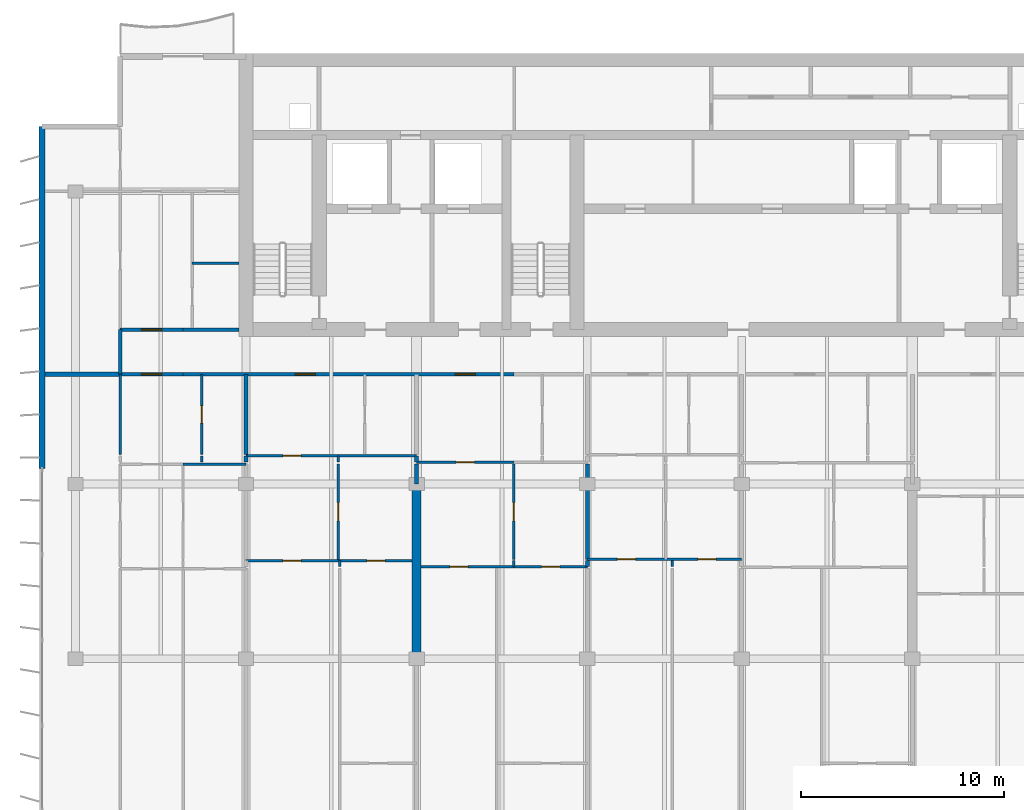
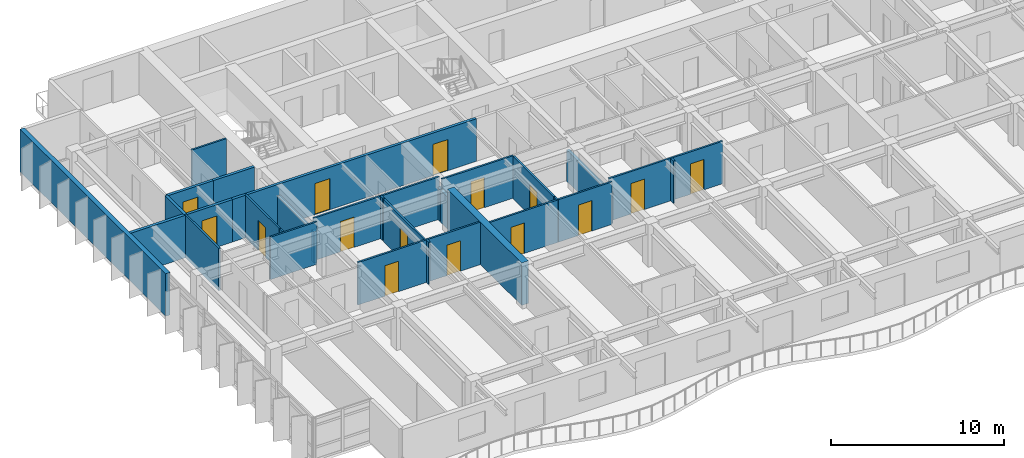
# One storey, part 7 of 16: 31 walls, 15 doors, 15 openings.
"""IFC4 building model written with IfcOpenShell, lengths in metres."""

import ifcopenshell
import ifcopenshell.guid

model = None  # the IFC model being written
_history = None  # IfcOwnerHistory: only IFC2X3 demands one
_inside = {}  # id of a spatial element -> (the spatial element, [elements in it])
_under = {}  # id of a project, library or spatial element -> (it, [spatial elements below it])
_declared = {}  # id of a project -> (the project, [libraries it declares])
_typed = {}  # id of a type object -> (the type object, [elements of that type])
_made_of = {}  # id of a material, layer set ... -> (it, [elements and type objects made of it])


def new_model(schema):
    """Start an empty IFC model of exactly this schema.

    Asked for "IFC4X3", IfcOpenShell would pick the latest addendum, in which some entities
    have other attributes; the version numbers below select the first issue.
    IFC2X3 requires an IfcOwnerHistory on every rooted entity: one is made here for all.
    """
    global model, _history
    if schema == "IFC4X3":
        model = ifcopenshell.file(schema_version=(4, 3, 0, 0))
    else:
        model = ifcopenshell.file(schema=schema)
    _inside.clear()
    _under.clear()
    _declared.clear()
    _typed.clear()
    _made_of.clear()
    _history = None
    if model.schema == "IFC2X3":
        org = make("IfcOrganization", Name="unknown")
        user = make(
            "IfcPersonAndOrganization",
            ThePerson=make("IfcPerson", FamilyName="unknown"),
            TheOrganization=org,
        )
        app = make(
            "IfcApplication",
            ApplicationDeveloper=org,
            Version="unknown",
            ApplicationFullName="unknown",
            ApplicationIdentifier="unknown",
        )
        _history = make(
            "IfcOwnerHistory",
            OwningUser=user,
            OwningApplication=app,
            ChangeAction="ADDED",
            CreationDate=0,
        )
    return model


def make(cls, **values):
    """One entity of the class cls with the attributes given. An attribute that is None is left unset."""
    return model.create_entity(
        cls, **{name: value for name, value in values.items() if value is not None}
    )


def rooted(cls, **values):
    """An entity with a GlobalId (a new one), such as an element, a storey or a relation."""
    return make(cls, GlobalId=ifcopenshell.guid.new(), OwnerHistory=_history, **values)


def si_unit(unit_type, name, prefix=None):
    """IfcSIUnit, for example si_unit("LENGTHUNIT", "METRE", prefix="MILLI")."""
    return make("IfcSIUnit", UnitType=unit_type, Prefix=prefix, Name=name)


def assignment(units):
    """IfcUnitAssignment: the units of a project."""
    return None if units is None else make("IfcUnitAssignment", Units=units)


def point(xyz):
    """IfcCartesianPoint."""
    return None if xyz is None else make("IfcCartesianPoint", Coordinates=xyz)


def direction(xyz):
    """IfcDirection."""
    return None if xyz is None else make("IfcDirection", DirectionRatios=xyz)


def frame(location, z_axis=None, x_axis=None):
    """IfcAxis2Placement3D, a coordinate frame: its origin and axes. An axis left out is left unset."""
    return make(
        "IfcAxis2Placement3D",
        Location=point(location),
        Axis=direction(z_axis),
        RefDirection=direction(x_axis),
    )


def frame_2d(location, x_axis=None):
    """IfcAxis2Placement2D, a coordinate frame in the plane: its origin and x axis."""
    return make(
        "IfcAxis2Placement2D", Location=point(location), RefDirection=direction(x_axis)
    )


def origin():
    """The frame at (0, 0, 0) with its axes left unset."""
    return frame((0.0, 0.0, 0.0))


def place(relative_to, where):
    """IfcLocalPlacement: puts the frame where relative to a parent placement (None: the world)."""
    return make(
        "IfcLocalPlacement", PlacementRelTo=relative_to, RelativePlacement=where
    )


def context(
    kind, dimensions, precision=None, world=None, true_north=None, identifier=None
):
    """IfcGeometricRepresentationContext, for example the 3D "Model" context."""
    return make(
        "IfcGeometricRepresentationContext",
        ContextIdentifier=identifier,
        ContextType=kind,
        CoordinateSpaceDimension=dimensions,
        Precision=precision,
        WorldCoordinateSystem=world,
        TrueNorth=true_north,
    )


def subcontext(parent, identifier, kind, view, scale=None):
    """IfcGeometricRepresentationSubContext, for example "Body" below "Model"."""
    return make(
        "IfcGeometricRepresentationSubContext",
        ContextIdentifier=identifier,
        ContextType=kind,
        ParentContext=parent,
        TargetScale=scale,
        TargetView=view,
    )


def project(units=None, contexts=None):
    """IfcProject with its units and contexts."""
    return rooted(
        "IfcProject",
        Name="project",
        RepresentationContexts=contexts,
        UnitsInContext=assignment(units),
    )


def spatial(cls, under=None, at=None, **own):
    """A site, building, storey or space (cls), placed at a placement, below another one or the project."""
    s = rooted(cls, ObjectPlacement=at, **own)
    if under is not None:
        _under.setdefault(under.id(), (under, []))[1].append(s)
    return s


def profile(cls, at=None, kind="AREA", **sizes):
    """A parametric profile (cls). Its sizes go by their IFC names, for example OverallWidth=200.0."""
    return make(cls, ProfileType=kind, Position=at, **sizes)


def rectangle(**sizes):
    """IfcRectangleProfileDef."""
    return profile("IfcRectangleProfileDef", **sizes)


def extrude(swept, where, along, depth):
    """IfcExtrudedAreaSolid: the profile swept, set in the frame where, extruded along a direction by depth."""
    return make(
        "IfcExtrudedAreaSolid",
        SweptArea=swept,
        Position=where,
        ExtrudedDirection=direction(along),
        Depth=depth,
    )


def shape(context_of_items, identifier, shape_type, items):
    """IfcShapeRepresentation: the items that make up one representation, for example the "Body"."""
    return make(
        "IfcShapeRepresentation",
        ContextOfItems=context_of_items,
        RepresentationIdentifier=identifier,
        RepresentationType=shape_type,
        Items=items,
    )


def material(Name=None, Category=None):
    """IfcMaterial."""
    return make("IfcMaterial", Name=Name, Category=Category)


def layer(
    of_material, thickness, ventilated=None, Name=None, Category=None, Priority=None
):
    """IfcMaterialLayer: one layer of a wall or slab, of a material (None: an air gap)."""
    return make(
        "IfcMaterialLayer",
        Material=of_material,
        LayerThickness=thickness,
        IsVentilated=ventilated,
        Name=Name,
        Category=Category,
        Priority=Priority,
    )


def layer_set(layers, Name=None):
    """IfcMaterialLayerSet."""
    return make("IfcMaterialLayerSet", MaterialLayers=layers, LayerSetName=Name)


def made_of(thing, what):
    """Note that an element or type object is made of a material, layer set ...; save() writes the relation."""
    if what is not None:
        _made_of.setdefault(what.id(), (what, []))[1].append(thing)
    return thing


def type_object(cls, material=None, **own):
    """A type object (cls), such as IfcWallType, which elements share."""
    return made_of(rooted(cls, **own), material)


def element(
    cls,
    number,
    at=None,
    inside=None,
    cuts=None,
    type_object=None,
    material=None,
    context=None,
    identifier="Body",
    shape_type=None,
    held_by="IfcProductDefinitionShape",
    body=None,
    shapes=None,
    **own,
):
    """One element of the class cls, such as IfcWall. Its Tag is "e" and its number.

    at: its placement. inside: the storey or other place that contains it. cuts: it is an
    opening in that element (IfcRelVoidsElement). A single representation is given by context,
    identifier, shape_type and body (its items); several are given by shapes. held_by: the class
    of the entity that holds the representations. save() writes the other relations.
    """
    e = rooted(cls, Tag="e%d" % number, ObjectPlacement=at, **own)
    if body is not None:
        shapes = [shape(context, identifier, shape_type, body)]
    if shapes is not None:
        e.Representation = make(held_by, Representations=shapes)
    if inside is not None:
        _inside.setdefault(inside.id(), (inside, []))[1].append(e)
    if cuts is not None:
        rooted(
            "IfcRelVoidsElement", RelatingBuildingElement=cuts, RelatedOpeningElement=e
        )
    if type_object is not None:
        _typed.setdefault(type_object.id(), (type_object, []))[1].append(e)
    return made_of(e, material)


def fill(opening, filler):
    """IfcRelFillsElement: the door or window that sits in an opening."""
    return rooted(
        "IfcRelFillsElement",
        RelatingOpeningElement=opening,
        RelatedBuildingElement=filler,
    )


def aggregate(whole, parts):
    """IfcRelAggregates: a whole, such as a stair, and the parts it consists of."""
    return rooted("IfcRelAggregates", RelatingObject=whole, RelatedObjects=parts)


def save(model, path):
    """Write the relations noted so far, then the file.

    IfcRelAggregates (storeys below a building ...), IfcRelContainedInSpatialStructure (elements
    in a storey), IfcRelDefinesByType, IfcRelAssociatesMaterial and IfcRelDeclares: one each for
    every whole, place, type object, material and project.
    """
    for whole, parts in _under.values():
        aggregate(whole, parts)
    for where, things in _inside.values():
        rooted(
            "IfcRelContainedInSpatialStructure",
            RelatedElements=things,
            RelatingStructure=where,
        )
    for kind, things in _typed.values():
        rooted("IfcRelDefinesByType", RelatedObjects=things, RelatingType=kind)
    for what, things in _made_of.values():
        rooted("IfcRelAssociatesMaterial", RelatedObjects=things, RelatingMaterial=what)
    for by, libraries in _declared.values():
        rooted("IfcRelDeclares", RelatingContext=by, RelatedDefinitions=libraries)
    model.write(path)


model = new_model("IFC4")

# Units and contexts
model_context = context("Model", 3, precision=1e-05, world=origin(), true_north=direction((0.0, 1.0)))
body_context = subcontext(model_context, "Body", "Model", "MODEL_VIEW")
ifc_project = project(units=[si_unit("LENGTHUNIT", "METRE"), si_unit("AREAUNIT", "SQUARE_METRE"), si_unit("VOLUMEUNIT", "CUBIC_METRE"), si_unit("PLANEANGLEUNIT", "RADIAN"), si_unit("MASSUNIT", "GRAM", prefix="KILO")], contexts=[model_context])

# Site, building, storey
site_placement = place(None, origin())
site = spatial("IfcSite", under=ifc_project, at=site_placement, CompositionType="ELEMENT")
building_placement = place(site_placement, origin())
building = spatial("IfcBuilding", under=site, at=building_placement, Name="Caelmar Bay Residences", CompositionType="ELEMENT")
storey_placement = place(building_placement, frame((0.0, 0.0, 266.10009765625)))
storey = spatial("IfcBuildingStorey", under=building, at=storey_placement, Name="L75", CompositionType="ELEMENT", Elevation=266.10009765625)

# Walls
ifc_material_1 = material(Name="Concrete f'c 55 MPa (8,000 psi)", Category="concrete")
ifc_layer_1 = layer(ifc_material_1, 0.449951171875)
ifc_layer_set_1 = layer_set([ifc_layer_1], Name="Concrete f'c 55 MPa (8,000 psi)")
wall_type_1 = type_object("IfcWallType", Name="SW-XSLB-450", PredefinedType="SHEAR", material=ifc_layer_set_1)
wall_1_placement = place(storey_placement, frame((26.699951171875, 20.800048828125, 0.0), z_axis=(0.0, 0.0, 1.0), x_axis=(0.0, 1.0, 0.0)))
element("IfcWall", 1, at=wall_1_placement, inside=storey, type_object=wall_type_1, Name="L75 Transverse Cross-Slab Shear Wall W5", PredefinedType="SHEAR", context=body_context, shape_type="SweptSolid", body=[
    extrude(rectangle(XDim=8.599853515625, YDim=0.449951171875, at=frame_2d((4.2998046875, 0.0))), origin(), (0.0, 0.0, 1.0), 3.0),
])
ifc_material_2 = material(Name="Double-stud acoustic fire-rated gypsum partition 180 mm")
ifc_layer_2 = layer(ifc_material_2, 0.179931640625)
ifc_layer_set_2 = layer_set([ifc_layer_2], Name="Double-stud acoustic fire-rated gypsum partition 180 mm")
wall_type_2 = type_object("IfcWallType", Name="W-COR-200", PredefinedType="PARTITIONING", material=ifc_layer_set_2)
wall_2_placement = place(storey_placement, frame((12.10009765625, 34.804931640625, 0.0), z_axis=(0.0, 0.0, 1.0), x_axis=(0.0, 1.0, 0.0)))
element("IfcWall", 2, at=wall_2_placement, inside=storey, type_object=wall_type_2, Name="L75 Partition Wall V006", PredefinedType="PARTITIONING", context=body_context, shape_type="SweptSolid", body=[
    extrude(rectangle(XDim=2.195068359375, YDim=0.179931640625, at=frame_2d((1.09765625, 0.0))), origin(), (0.0, 0.0, 1.0), 3.0),
])

# Wall, opening, door
wall_3_placement = place(storey_placement, frame((12.10498046875, 34.800048828125, 0.0), z_axis=(0.0, 0.0, 1.0), x_axis=(1.0, 0.0, 0.0)))
wall_3 = element("IfcWall", 3, at=wall_3_placement, inside=storey, type_object=wall_type_2, Name="L75 Partition Wall H128", PredefinedType="PARTITIONING", context=body_context, shape_type="SweptSolid", body=[
    extrude(rectangle(XDim=3.093017578125, YDim=0.179931640625, at=frame_2d((1.54638671875, 0.0))), origin(), (0.0, 0.0, 1.0), 3.0),
])
opening_1_placement = place(wall_3_placement, frame((1.04638671875, 0.0, 0.0)))
opening_1 = element("IfcOpeningElement", 4, at=opening_1_placement, cuts=wall_3, Name="Opening D-L75-122", PredefinedType="OPENING", context=body_context, shape_type="SweptSolid", body=[
    extrude(rectangle(XDim=1.0, YDim=2.199951171875, at=frame_2d((0.5, 1.10009765625))), frame((0.0, 0.099853515625, 0.0), z_axis=(0.0, -1.0, 0.0), x_axis=(1.0, 0.0, 0.0)), (0.0, 0.0, 1.0), 0.199951171875),
])
ifc_material_3 = material(Name="Fire-rated steel and walnut architectural door assembly", Category="steel")
ifc_layer_3 = layer(ifc_material_3, 0.050048828125)
ifc_layer_set_3 = layer_set([ifc_layer_3], Name="Fire-rated steel and walnut architectural door assembly")
door_type_1 = type_object("IfcDoorType", Name="D-UNIT-1000", OperationType="NOTDEFINED", PredefinedType="DOOR", material=ifc_layer_set_3)
door_1_placement = place(opening_1_placement, origin())
door_1 = element("IfcDoor", 5, at=door_1_placement, inside=storey, type_object=door_type_1, Name="L75 Residence 01 Apartment Hall Door", OperationType="SINGLE_SWING_RIGHT", OverallHeight=2.199951171875, OverallWidth=1.0, PredefinedType="DOOR", context=body_context, shape_type="SweptSolid", body=[
    extrude(rectangle(XDim=1.0, YDim=2.199951171875, at=frame_2d((0.5, 1.10009765625))), frame((0.0, 0.02490234375, 0.0), z_axis=(0.0, -1.0, 0.0), x_axis=(1.0, 0.0, 0.0)), (0.0, 0.0, 1.0), 0.050048828125),
])
fill(opening_1, door_1)

# Wall, openings, doors
wall_4_placement = place(storey_placement, frame((15.202880859375, 34.800048828125, 0.0), z_axis=(0.0, 0.0, 1.0), x_axis=(1.0, 0.0, 0.0)))
wall_4 = element("IfcWall", 6, at=wall_4_placement, inside=storey, type_object=wall_type_2, Name="L75 Partition Wall H129", PredefinedType="PARTITIONING", context=body_context, shape_type="SweptSolid", body=[
    extrude(rectangle(XDim=16.283203125, YDim=0.179931640625, at=frame_2d((8.1416015625, 0.0))), origin(), (0.0, 0.0, 1.0), 3.0),
])
opening_2_placement = place(wall_4_placement, frame((5.51611328125, 0.0, 0.0)))
opening_2 = element("IfcOpeningElement", 7, at=opening_2_placement, cuts=wall_4, Name="Opening D-L75-128", PredefinedType="OPENING", context=body_context, shape_type="SweptSolid", body=[
    extrude(rectangle(XDim=1.0, YDim=2.199951171875, at=frame_2d((0.5, 1.10009765625))), frame((0.0, 0.099853515625, 0.0), z_axis=(0.0, -1.0, 0.0), x_axis=(1.0, 0.0, 0.0)), (0.0, 0.0, 1.0), 0.199951171875),
])
opening_3_placement = place(wall_4_placement, frame((13.389892578125, 0.0, 0.0)))
opening_3 = element("IfcOpeningElement", 8, at=opening_3_placement, cuts=wall_4, Name="Opening D-L75-135", PredefinedType="OPENING", context=body_context, shape_type="SweptSolid", body=[
    extrude(rectangle(XDim=1.0, YDim=2.199951171875, at=frame_2d((0.5, 1.10009765625))), frame((0.0, 0.099853515625, 0.0), z_axis=(0.0, -1.0, 0.0), x_axis=(1.0, 0.0, 0.0)), (0.0, 0.0, 1.0), 0.199951171875),
])
door_2_placement = place(opening_2_placement, origin())
door_2 = element("IfcDoor", 9, at=door_2_placement, inside=storey, type_object=door_type_1, Name="L75 Residence 02 Apartment Hall Door", OperationType="SINGLE_SWING_RIGHT", OverallHeight=2.199951171875, OverallWidth=1.0, PredefinedType="DOOR", context=body_context, shape_type="SweptSolid", body=[
    extrude(rectangle(XDim=1.0, YDim=2.199951171875, at=frame_2d((0.5, 1.10009765625))), frame((0.0, 0.02490234375, 0.0), z_axis=(0.0, -1.0, 0.0), x_axis=(1.0, 0.0, 0.0)), (0.0, 0.0, 1.0), 0.050048828125),
])
fill(opening_2, door_2)
door_3_placement = place(opening_3_placement, origin())
door_3 = element("IfcDoor", 10, at=door_3_placement, inside=storey, type_object=door_type_1, Name="L75 Residence 03 Apartment Hall Door", OperationType="SINGLE_SWING_LEFT", OverallHeight=2.199951171875, OverallWidth=1.0, PredefinedType="DOOR", context=body_context, shape_type="SweptSolid", body=[
    extrude(rectangle(XDim=1.0, YDim=2.199951171875, at=frame_2d((0.5, 1.10009765625))), frame((0.0, 0.02490234375, 0.0), z_axis=(0.0, -1.0, 0.0), x_axis=(1.0, 0.0, 0.0)), (0.0, 0.0, 1.0), 0.050048828125),
])
fill(opening_3, door_3)

# Wall, opening, door
wall_5_placement = place(storey_placement, frame((12.10009765625, 37.0, 0.0), z_axis=(0.0, 0.0, 1.0), x_axis=(1.0, 0.0, 0.0)))
wall_5 = element("IfcWall", 11, at=wall_5_placement, inside=storey, type_object=wall_type_2, Name="L75 Partition Wall H132", PredefinedType="PARTITIONING", context=body_context, shape_type="SweptSolid", body=[
    extrude(rectangle(XDim=3.097900390625, YDim=0.179931640625, at=frame_2d((1.548828125, 0.0))), origin(), (0.0, 0.0, 1.0), 3.0),
])
opening_4_placement = place(wall_5_placement, frame((1.049072265625, 0.0, 0.0)))
opening_4 = element("IfcOpeningElement", 12, at=opening_4_placement, cuts=wall_5, Name="Opening D-L75-167", PredefinedType="OPENING", context=body_context, shape_type="SweptSolid", body=[
    extrude(rectangle(XDim=1.0, YDim=2.199951171875, at=frame_2d((0.5, 1.10009765625))), frame((0.0, 0.099853515625, 0.0), z_axis=(0.0, -1.0, 0.0), x_axis=(1.0, 0.0, 0.0)), (0.0, 0.0, 1.0), 0.199951171875),
])
door_4_placement = place(opening_4_placement, origin())
door_4 = element("IfcDoor", 13, at=door_4_placement, inside=storey, type_object=door_type_1, Name="L75 Residence WA Kitchen Door", OperationType="SINGLE_SWING_LEFT", OverallHeight=2.199951171875, OverallWidth=1.0, PredefinedType="DOOR", context=body_context, shape_type="SweptSolid", body=[
    extrude(rectangle(XDim=1.0, YDim=2.199951171875, at=frame_2d((0.5, 1.10009765625))), frame((0.0, 0.02490234375, 0.0), z_axis=(0.0, -1.0, 0.0), x_axis=(1.0, 0.0, 0.0)), (0.0, 0.0, 1.0), 0.050048828125),
])
fill(opening_4, door_4)

# Walls
wall_6_placement = place(storey_placement, frame((15.202880859375, 37.0, 0.0), z_axis=(0.0, 0.0, 1.0), x_axis=(1.0, 0.0, 0.0)))
element("IfcWall", 14, at=wall_6_placement, inside=storey, type_object=wall_type_2, Name="L75 Partition Wall H133", PredefinedType="PARTITIONING", context=body_context, shape_type="SweptSolid", body=[
    extrude(rectangle(XDim=2.7421875, YDim=0.179931640625, at=frame_2d((1.37109375, 0.0))), origin(), (0.0, 0.0, 1.0), 3.0),
])
ifc_material_4 = material(Name="Precast concrete f'c 40 MPa (6,000 psi)", Category="concrete")
ifc_layer_4 = layer(ifc_material_4, 0.300048828125)
ifc_layer_set_4 = layer_set([ifc_layer_4], Name="Precast concrete f'c 40 MPa (6,000 psi)")
wall_type_3 = type_object("IfcWallType", Name="W-EXT-300", PredefinedType="STANDARD", material=ifc_layer_set_4)
wall_7_placement = place(storey_placement, frame((8.25, 30.14990234375, 0.0), z_axis=(0.0, 0.0, 1.0), x_axis=(0.0, 1.0, 0.0)))
element("IfcWall", 15, at=wall_7_placement, inside=storey, type_object=wall_type_3, Name="L75 West Rear Exterior Wall", PredefinedType="STANDARD", context=body_context, shape_type="SweptSolid", body=[
    extrude(rectangle(XDim=16.85009765625, YDim=0.300048828125, at=frame_2d((8.425048828125, 0.0))), origin(), (0.0, 0.0, 1.0), 3.0),
])
ifc_material_5 = material(Name="Acoustic metal-stud gypsum partition 120 mm")
ifc_layer_5 = layer(ifc_material_5, 0.1201171875)
ifc_layer_set_5 = layer_set([ifc_layer_5], Name="Acoustic metal-stud gypsum partition 120 mm")
wall_type_4 = type_object("IfcWallType", Name="W-PRT-120", PredefinedType="PARTITIONING", material=ifc_layer_set_5)
wall_8_placement = place(storey_placement, frame((12.10009765625, 30.840087890625, 0.0), z_axis=(0.0, 0.0, 1.0), x_axis=(0.0, 1.0, 0.0)))
element("IfcWall", 16, at=wall_8_placement, inside=storey, type_object=wall_type_4, Name="L75 Partition Wall V005", PredefinedType="PARTITIONING", context=body_context, shape_type="SweptSolid", body=[
    extrude(rectangle(XDim=3.9599609375, YDim=0.1201171875, at=frame_2d((1.97998046875, 0.0))), origin(), (0.0, 0.0, 1.0), 3.0),
])
wall_9_placement = place(storey_placement, frame((16.1279296875, 30.47998046875, 0.0), z_axis=(0.0, 0.0, 1.0), x_axis=(0.0, 1.0, 0.0)))
element("IfcWall", 17, at=wall_9_placement, inside=storey, type_object=wall_type_4, Name="L75 Partition Wall V013", PredefinedType="PARTITIONING", context=body_context, shape_type="SweptSolid", body=[
    extrude(rectangle(XDim=0.300048828125, YDim=0.1201171875, at=frame_2d((0.14990234375, 0.0))), origin(), (0.0, 0.0, 1.0), 3.0),
])

# Wall, opening, door
wall_10_placement = place(storey_placement, frame((16.1279296875, 30.840087890625, 0.0), z_axis=(0.0, 0.0, 1.0), x_axis=(0.0, 1.0, 0.0)))
wall_10 = element("IfcWall", 18, at=wall_10_placement, inside=storey, type_object=wall_type_4, Name="L75 Partition Wall V014", PredefinedType="PARTITIONING", context=body_context, shape_type="SweptSolid", body=[
    extrude(rectangle(XDim=3.9599609375, YDim=0.1201171875, at=frame_2d((1.97998046875, 0.0))), origin(), (0.0, 0.0, 1.0), 3.0),
])
opening_5_placement = place(wall_10_placement, frame((1.554931640625, 0.0, 0.0)))
opening_5 = element("IfcOpeningElement", 19, at=opening_5_placement, cuts=wall_10, Name="Opening D-L75-123", PredefinedType="OPENING", context=body_context, shape_type="SweptSolid", body=[
    extrude(rectangle(XDim=0.85009765625, YDim=2.10009765625, at=frame_2d((0.425048828125, 1.050048828125))), frame((0.0, 0.070068359375, 0.0), z_axis=(0.0, -1.0, 0.0), x_axis=(1.0, 0.0, 0.0)), (0.0, 0.0, 1.0), 0.14013671875),
])
ifc_material_6 = material(Name="Solid walnut timber interior door leaf and frame", Category="wood")
ifc_layer_6 = layer(ifc_material_6, 0.050048828125)
ifc_layer_set_6 = layer_set([ifc_layer_6], Name="Solid walnut timber interior door leaf and frame")
door_type_2 = type_object("IfcDoorType", Name="D-BATH-850", OperationType="NOTDEFINED", PredefinedType="DOOR", material=ifc_layer_set_6)
door_5_placement = place(opening_5_placement, origin())
door_5 = element("IfcDoor", 20, at=door_5_placement, inside=storey, type_object=door_type_2, Name="L75 Residence 01 Bathroom Door", OperationType="SINGLE_SWING_LEFT", OverallHeight=2.10009765625, OverallWidth=0.85009765625, PredefinedType="DOOR", context=body_context, shape_type="SweptSolid", body=[
    extrude(rectangle(XDim=0.85009765625, YDim=2.10009765625, at=frame_2d((0.425048828125, 1.050048828125))), frame((0.0, 0.02490234375, 0.0), z_axis=(0.0, -1.0, 0.0), x_axis=(1.0, 0.0, 0.0)), (0.0, 0.0, 1.0), 0.050048828125),
])
fill(opening_5, door_5)

wall_11_placement = place(storey_placement, frame((22.8359375, 25.68994140625, 0.0), z_axis=(0.0, 0.0, 1.0), x_axis=(0.0, 1.0, 0.0)))
wall_11 = element("IfcWall", 21, at=wall_11_placement, inside=storey, type_object=wall_type_4, Name="L75 Partition Wall V022", PredefinedType="PARTITIONING", context=body_context, shape_type="SweptSolid", body=[
    extrude(rectangle(XDim=4.68994140625, YDim=0.1201171875, at=frame_2d((2.344970703125, 0.0))), origin(), (0.0, 0.0, 1.0), 3.0),
])
opening_6_placement = place(wall_11_placement, frame((1.89501953125, 0.0, 0.0)))
opening_6 = element("IfcOpeningElement", 22, at=opening_6_placement, cuts=wall_11, Name="Opening D-L75-131", PredefinedType="OPENING", context=body_context, shape_type="SweptSolid", body=[
    extrude(rectangle(XDim=0.89990234375, YDim=2.14990234375, at=frame_2d((0.449951171875, 1.074951171875))), frame((0.0, 0.070068359375, 0.0), z_axis=(0.0, -1.0, 0.0), x_axis=(1.0, 0.0, 0.0)), (0.0, 0.0, 1.0), 0.14013671875),
])
ifc_layer_7 = layer(ifc_material_6, 0.050048828125)
ifc_layer_set_7 = layer_set([ifc_layer_7], Name="Solid walnut timber interior door leaf and frame")
door_type_3 = type_object("IfcDoorType", Name="D-ROOM-900", OperationType="NOTDEFINED", PredefinedType="DOOR", material=ifc_layer_set_7)
door_6_placement = place(opening_6_placement, origin())
door_6 = element("IfcDoor", 23, at=door_6_placement, inside=storey, type_object=door_type_3, Name="L75 Residence 02 Private Reception Salon Door", OperationType="SINGLE_SWING_LEFT", OverallHeight=2.14990234375, OverallWidth=0.89990234375, PredefinedType="DOOR", context=body_context, shape_type="SweptSolid", body=[
    extrude(rectangle(XDim=0.89990234375, YDim=2.14990234375, at=frame_2d((0.449951171875, 1.074951171875))), frame((0.0, 0.02490234375, 0.0), z_axis=(0.0, -1.0, 0.0), x_axis=(1.0, 0.0, 0.0)), (0.0, 0.0, 1.0), 0.050048828125),
])
fill(opening_6, door_6)

# Walls
wall_12_placement = place(storey_placement, frame((22.8359375, 30.47998046875, 0.0), z_axis=(0.0, 0.0, 1.0), x_axis=(0.0, 1.0, 0.0)))
element("IfcWall", 24, at=wall_12_placement, inside=storey, type_object=wall_type_4, Name="L75 Partition Wall V023", PredefinedType="PARTITIONING", context=body_context, shape_type="SweptSolid", body=[
    extrude(rectangle(XDim=0.300048828125, YDim=0.1201171875, at=frame_2d((0.14990234375, 0.0))), origin(), (0.0, 0.0, 1.0), 3.0),
])
for number, where, z_axis, x_axis, name in (
    (25, (22.919921875, 25.330078125, 0.0), (0.0, 0.0, 1.0), (0.0, 1.0, 0.0), "L75 Partition Wall V026"),
    (26, (31.486083984375, 25.330078125, 0.0), (0.0, 0.0, 1.0), (0.0, 1.0, 0.0), "L75 Partition Wall V038"),
):
    element("IfcWall", number, at=place(storey_placement, frame(where, z_axis=z_axis, x_axis=x_axis)), inside=storey, type_object=wall_type_4, Name=name, PredefinedType="PARTITIONING", context=body_context, shape_type="SweptSolid", body=[
        extrude(rectangle(XDim=0.2998046875, YDim=0.1201171875, at=frame_2d((0.14990234375, 0.0))), origin(), (0.0, 0.0, 1.0), 3.0),
    ])

# Wall, opening, door
wall_13_placement = place(storey_placement, frame((31.486083984375, 25.68994140625, 0.0), z_axis=(0.0, 0.0, 1.0), x_axis=(0.0, 1.0, 0.0)))
wall_13 = element("IfcWall", 27, at=wall_13_placement, inside=storey, type_object=wall_type_4, Name="L75 Partition Wall V039", PredefinedType="PARTITIONING", context=body_context, shape_type="SweptSolid", body=[
    extrude(rectangle(XDim=4.68994140625, YDim=0.1201171875, at=frame_2d((2.344970703125, 0.0))), origin(), (0.0, 0.0, 1.0), 3.0),
])
opening_7_placement = place(wall_13_placement, frame((1.89501953125, 0.0, 0.0)))
opening_7 = element("IfcOpeningElement", 28, at=opening_7_placement, cuts=wall_13, Name="Opening D-L75-138", PredefinedType="OPENING", context=body_context, shape_type="SweptSolid", body=[
    extrude(rectangle(XDim=0.89990234375, YDim=2.14990234375, at=frame_2d((0.449951171875, 1.074951171875))), frame((0.0, 0.070068359375, 0.0), z_axis=(0.0, -1.0, 0.0), x_axis=(1.0, 0.0, 0.0)), (0.0, 0.0, 1.0), 0.14013671875),
])
door_7_placement = place(opening_7_placement, origin())
door_7 = element("IfcDoor", 29, at=door_7_placement, inside=storey, type_object=door_type_3, Name="L75 Residence 03 Private Reception Salon Door", OperationType="SINGLE_SWING_RIGHT", OverallHeight=2.14990234375, OverallWidth=0.89990234375, PredefinedType="DOOR", context=body_context, shape_type="SweptSolid", body=[
    extrude(rectangle(XDim=0.89990234375, YDim=2.14990234375, at=frame_2d((0.449951171875, 1.074951171875))), frame((0.0, 0.02490234375, 0.0), z_axis=(0.0, -1.0, 0.0), x_axis=(1.0, 0.0, 0.0)), (0.0, 0.0, 1.0), 0.050048828125),
])
fill(opening_7, door_7)

# Wall
wall_14_placement = place(storey_placement, frame((39.280029296875, 25.330078125, 0.0), z_axis=(0.0, 0.0, 1.0), x_axis=(0.0, 1.0, 0.0)))
element("IfcWall", 30, at=wall_14_placement, inside=storey, type_object=wall_type_4, Name="L75 Partition Wall V053", PredefinedType="PARTITIONING", context=body_context, shape_type="SweptSolid", body=[
    extrude(rectangle(XDim=0.2998046875, YDim=0.1201171875, at=frame_2d((0.14990234375, 0.0))), origin(), (0.0, 0.0, 1.0), 3.0),
])

# Wall, opening, door
wall_15_placement = place(storey_placement, frame((26.919921875, 25.330078125, 0.0), z_axis=(0.0, 0.0, 1.0), x_axis=(1.0, 0.0, 0.0)))
wall_15 = element("IfcWall", 31, at=wall_15_placement, inside=storey, type_object=wall_type_4, Name="L75 Partition Wall H114", PredefinedType="PARTITIONING", context=body_context, shape_type="SweptSolid", body=[
    extrude(rectangle(XDim=4.566162109375, YDim=0.1201171875, at=frame_2d((2.283203125, 0.0))), origin(), (0.0, 0.0, 1.0), 3.0),
])
opening_8_placement = place(wall_15_placement, frame((1.4140625, 0.0, 0.0)))
opening_8 = element("IfcOpeningElement", 32, at=opening_8_placement, cuts=wall_15, Name="Opening D-L75-139", PredefinedType="OPENING", context=body_context, shape_type="SweptSolid", body=[
    extrude(rectangle(XDim=0.89990234375, YDim=2.14990234375, at=frame_2d((0.449951171875, 1.074951171875))), frame((0.0, 0.070068359375, 0.0), z_axis=(0.0, -1.0, 0.0), x_axis=(1.0, 0.0, 0.0)), (0.0, 0.0, 1.0), 0.14013671875),
])
door_8_placement = place(opening_8_placement, origin())
door_8 = element("IfcDoor", 33, at=door_8_placement, inside=storey, type_object=door_type_3, Name="L75 Residence 03 Living Room Door", OperationType="SINGLE_SWING_LEFT", OverallHeight=2.14990234375, OverallWidth=0.89990234375, PredefinedType="DOOR", context=body_context, shape_type="SweptSolid", body=[
    extrude(rectangle(XDim=0.89990234375, YDim=2.14990234375, at=frame_2d((0.449951171875, 1.074951171875))), frame((0.0, 0.02490234375, 0.0), z_axis=(0.0, -1.0, 0.0), x_axis=(1.0, 0.0, 0.0)), (0.0, 0.0, 1.0), 0.050048828125),
])
fill(opening_8, door_8)

wall_16_placement = place(storey_placement, frame((31.5, 25.330078125, 0.0), z_axis=(0.0, 0.0, 1.0), x_axis=(1.0, 0.0, 0.0)))
wall_16 = element("IfcWall", 34, at=wall_16_placement, inside=storey, type_object=wall_type_4, Name="L75 Partition Wall H115", PredefinedType="PARTITIONING", context=body_context, shape_type="SweptSolid", body=[
    extrude(rectangle(XDim=3.60009765625, YDim=0.1201171875, at=frame_2d((1.800048828125, 0.0))), origin(), (0.0, 0.0, 1.0), 3.0),
])
opening_9_placement = place(wall_16_placement, frame((1.35009765625, 0.0, 0.0)))
opening_9 = element("IfcOpeningElement", 35, at=opening_9_placement, cuts=wall_16, Name="Opening D-L75-140", PredefinedType="OPENING", context=body_context, shape_type="SweptSolid", body=[
    extrude(rectangle(XDim=0.89990234375, YDim=2.14990234375, at=frame_2d((0.449951171875, 1.074951171875))), frame((0.0, 0.070068359375, 0.0), z_axis=(0.0, -1.0, 0.0), x_axis=(1.0, 0.0, 0.0)), (0.0, 0.0, 1.0), 0.14013671875),
])
door_9_placement = place(opening_9_placement, origin())
door_9 = element("IfcDoor", 36, at=door_9_placement, inside=storey, type_object=door_type_3, Name="L75 Residence 03 Penthouse Sitting Room Door", OperationType="SINGLE_SWING_RIGHT", OverallHeight=2.14990234375, OverallWidth=0.89990234375, PredefinedType="DOOR", context=body_context, shape_type="SweptSolid", body=[
    extrude(rectangle(XDim=0.89990234375, YDim=2.14990234375, at=frame_2d((0.449951171875, 1.074951171875))), frame((0.0, 0.02490234375, 0.0), z_axis=(0.0, -1.0, 0.0), x_axis=(1.0, 0.0, 0.0)), (0.0, 0.0, 1.0), 0.050048828125),
])
fill(opening_9, door_9)

# Wall, openings, doors
wall_17_placement = place(storey_placement, frame((18.300048828125, 25.6298828125, 0.0), z_axis=(0.0, 0.0, 1.0), x_axis=(1.0, 0.0, 0.0)))
wall_17 = element("IfcWall", 37, at=wall_17_placement, inside=storey, type_object=wall_type_4, Name="L75 Partition Wall H116", PredefinedType="PARTITIONING", context=body_context, shape_type="SweptSolid", body=[
    extrude(rectangle(XDim=8.179931640625, YDim=0.1201171875, at=frame_2d((4.08984375, 0.0))), origin(), (0.0, 0.0, 1.0), 3.0),
])
opening_10_placement = place(wall_17_placement, frame((1.818115234375, 0.0, 0.0)))
opening_10 = element("IfcOpeningElement", 38, at=opening_10_placement, cuts=wall_17, Name="Opening D-L75-132", PredefinedType="OPENING", context=body_context, shape_type="SweptSolid", body=[
    extrude(rectangle(XDim=0.89990234375, YDim=2.14990234375, at=frame_2d((0.449951171875, 1.074951171875))), frame((0.0, 0.070068359375, 0.0), z_axis=(0.0, -1.0, 0.0), x_axis=(1.0, 0.0, 0.0)), (0.0, 0.0, 1.0), 0.14013671875),
])
opening_11_placement = place(wall_17_placement, frame((5.949951171875, 0.0, 0.0)))
opening_11 = element("IfcOpeningElement", 39, at=opening_11_placement, cuts=wall_17, Name="Opening D-L75-133", PredefinedType="OPENING", context=body_context, shape_type="SweptSolid", body=[
    extrude(rectangle(XDim=0.89990234375, YDim=2.14990234375, at=frame_2d((0.449951171875, 1.074951171875))), frame((0.0, 0.070068359375, 0.0), z_axis=(0.0, -1.0, 0.0), x_axis=(1.0, 0.0, 0.0)), (0.0, 0.0, 1.0), 0.14013671875),
])
door_10_placement = place(opening_10_placement, origin())
door_10 = element("IfcDoor", 40, at=door_10_placement, inside=storey, type_object=door_type_3, Name="L75 Residence 02 Living Room Door", OperationType="SINGLE_SWING_RIGHT", OverallHeight=2.14990234375, OverallWidth=0.89990234375, PredefinedType="DOOR", context=body_context, shape_type="SweptSolid", body=[
    extrude(rectangle(XDim=0.89990234375, YDim=2.14990234375, at=frame_2d((0.449951171875, 1.074951171875))), frame((0.0, 0.02490234375, 0.0), z_axis=(0.0, -1.0, 0.0), x_axis=(1.0, 0.0, 0.0)), (0.0, 0.0, 1.0), 0.050048828125),
])
fill(opening_10, door_10)
door_11_placement = place(opening_11_placement, origin())
door_11 = element("IfcDoor", 41, at=door_11_placement, inside=storey, type_object=door_type_3, Name="L75 Residence 02 Penthouse Sitting Room Door", OperationType="SINGLE_SWING_LEFT", OverallHeight=2.14990234375, OverallWidth=0.89990234375, PredefinedType="DOOR", context=body_context, shape_type="SweptSolid", body=[
    extrude(rectangle(XDim=0.89990234375, YDim=2.14990234375, at=frame_2d((0.449951171875, 1.074951171875))), frame((0.0, 0.02490234375, 0.0), z_axis=(0.0, -1.0, 0.0), x_axis=(1.0, 0.0, 0.0)), (0.0, 0.0, 1.0), 0.050048828125),
])
fill(opening_11, door_11)

wall_18_placement = place(storey_placement, frame((35.10009765625, 25.68994140625, 0.0), z_axis=(0.0, 0.0, 1.0), x_axis=(1.0, 0.0, 0.0)))
wall_18 = element("IfcWall", 42, at=wall_18_placement, inside=storey, type_object=wall_type_4, Name="L75 Partition Wall H117", PredefinedType="PARTITIONING", context=body_context, shape_type="SweptSolid", body=[
    extrude(rectangle(XDim=7.599853515625, YDim=0.1201171875, at=frame_2d((3.7998046875, 0.0))), origin(), (0.0, 0.0, 1.0), 3.0),
])
opening_12_placement = place(wall_18_placement, frame((1.47705078125, 0.0, 0.0)))
opening_12 = element("IfcOpeningElement", 43, at=opening_12_placement, cuts=wall_18, Name="Opening D-L75-146", PredefinedType="OPENING", context=body_context, shape_type="SweptSolid", body=[
    extrude(rectangle(XDim=0.89990234375, YDim=2.14990234375, at=frame_2d((0.449951171875, 1.074951171875))), frame((0.0, 0.070068359375, 0.0), z_axis=(0.0, -1.0, 0.0), x_axis=(1.0, 0.0, 0.0)), (0.0, 0.0, 1.0), 0.14013671875),
])
opening_13_placement = place(wall_18_placement, frame((5.43994140625, 0.0, 0.0)))
opening_13 = element("IfcOpeningElement", 44, at=opening_13_placement, cuts=wall_18, Name="Opening D-L75-147", PredefinedType="OPENING", context=body_context, shape_type="SweptSolid", body=[
    extrude(rectangle(XDim=0.89990234375, YDim=2.14990234375, at=frame_2d((0.449951171875, 1.074951171875))), frame((0.0, 0.070068359375, 0.0), z_axis=(0.0, -1.0, 0.0), x_axis=(1.0, 0.0, 0.0)), (0.0, 0.0, 1.0), 0.14013671875),
])
door_12_placement = place(opening_12_placement, origin())
door_12 = element("IfcDoor", 45, at=door_12_placement, inside=storey, type_object=door_type_3, Name="L75 Residence 04 Living Room Door", OperationType="SINGLE_SWING_RIGHT", OverallHeight=2.14990234375, OverallWidth=0.89990234375, PredefinedType="DOOR", context=body_context, shape_type="SweptSolid", body=[
    extrude(rectangle(XDim=0.89990234375, YDim=2.14990234375, at=frame_2d((0.449951171875, 1.074951171875))), frame((0.0, 0.02490234375, 0.0), z_axis=(0.0, -1.0, 0.0), x_axis=(1.0, 0.0, 0.0)), (0.0, 0.0, 1.0), 0.050048828125),
])
fill(opening_12, door_12)
door_13_placement = place(opening_13_placement, origin())
door_13 = element("IfcDoor", 46, at=door_13_placement, inside=storey, type_object=door_type_3, Name="L75 Residence 04 Primary Bedroom Door", OperationType="SINGLE_SWING_LEFT", OverallHeight=2.14990234375, OverallWidth=0.89990234375, PredefinedType="DOOR", context=body_context, shape_type="SweptSolid", body=[
    extrude(rectangle(XDim=0.89990234375, YDim=2.14990234375, at=frame_2d((0.449951171875, 1.074951171875))), frame((0.0, 0.02490234375, 0.0), z_axis=(0.0, -1.0, 0.0), x_axis=(1.0, 0.0, 0.0)), (0.0, 0.0, 1.0), 0.050048828125),
])
fill(opening_13, door_13)

# Wall
wall_19_placement = place(storey_placement, frame((15.202880859375, 30.3798828125, 0.0), z_axis=(0.0, 0.0, 1.0), x_axis=(1.0, 0.0, 0.0)))
element("IfcWall", 47, at=wall_19_placement, inside=storey, type_object=wall_type_4, Name="L75 Partition Wall H121", PredefinedType="PARTITIONING", context=body_context, shape_type="SweptSolid", body=[
    extrude(rectangle(XDim=3.09716796875, YDim=0.1201171875, at=frame_2d((1.548583984375, 0.0))), origin(), (0.0, 0.0, 1.0), 3.0),
])

# Wall, opening, door
wall_20_placement = place(storey_placement, frame((26.699951171875, 30.47998046875, 0.0), z_axis=(0.0, 0.0, 1.0), x_axis=(1.0, 0.0, 0.0)))
wall_20 = element("IfcWall", 48, at=wall_20_placement, inside=storey, type_object=wall_type_4, Name="L75 Partition Wall H123", PredefinedType="PARTITIONING", context=body_context, shape_type="SweptSolid", body=[
    extrude(rectangle(XDim=4.7861328125, YDim=0.1201171875, at=frame_2d((2.39306640625, 0.0))), origin(), (0.0, 0.0, 1.0), 3.0),
])
opening_14_placement = place(wall_20_placement, frame((1.943115234375, 0.0, 0.0)))
opening_14 = element("IfcOpeningElement", 49, at=opening_14_placement, cuts=wall_20, Name="Opening D-L75-137", PredefinedType="OPENING", context=body_context, shape_type="SweptSolid", body=[
    extrude(rectangle(XDim=0.89990234375, YDim=2.14990234375, at=frame_2d((0.449951171875, 1.074951171875))), frame((0.0, 0.070068359375, 0.0), z_axis=(0.0, -1.0, 0.0), x_axis=(1.0, 0.0, 0.0)), (0.0, 0.0, 1.0), 0.14013671875),
])
door_14_placement = place(opening_14_placement, origin())
door_14 = element("IfcDoor", 50, at=door_14_placement, inside=storey, type_object=door_type_3, Name="L75 Residence 03 Kitchen Door", OperationType="SINGLE_SWING_LEFT", OverallHeight=2.14990234375, OverallWidth=0.89990234375, PredefinedType="DOOR", context=body_context, shape_type="SweptSolid", body=[
    extrude(rectangle(XDim=0.89990234375, YDim=2.14990234375, at=frame_2d((0.449951171875, 1.074951171875))), frame((0.0, 0.02490234375, 0.0), z_axis=(0.0, -1.0, 0.0), x_axis=(1.0, 0.0, 0.0)), (0.0, 0.0, 1.0), 0.050048828125),
])
fill(opening_14, door_14)

wall_21_placement = place(storey_placement, frame((18.300048828125, 30.780029296875, 0.0), z_axis=(0.0, 0.0, 1.0), x_axis=(1.0, 0.0, 0.0)))
wall_21 = element("IfcWall", 51, at=wall_21_placement, inside=storey, type_object=wall_type_4, Name="L75 Partition Wall H125", PredefinedType="PARTITIONING", context=body_context, shape_type="SweptSolid", body=[
    extrude(rectangle(XDim=8.39990234375, YDim=0.1201171875, at=frame_2d((4.199951171875, 0.0))), origin(), (0.0, 0.0, 1.0), 3.0),
])
opening_15_placement = place(wall_21_placement, frame((1.818115234375, 0.0, 0.0)))
opening_15 = element("IfcOpeningElement", 52, at=opening_15_placement, cuts=wall_21, Name="Opening D-L75-130", PredefinedType="OPENING", context=body_context, shape_type="SweptSolid", body=[
    extrude(rectangle(XDim=0.89990234375, YDim=2.14990234375, at=frame_2d((0.449951171875, 1.074951171875))), frame((0.0, 0.070068359375, 0.0), z_axis=(0.0, -1.0, 0.0), x_axis=(1.0, 0.0, 0.0)), (0.0, 0.0, 1.0), 0.14013671875),
])
door_15_placement = place(opening_15_placement, origin())
door_15 = element("IfcDoor", 53, at=door_15_placement, inside=storey, type_object=door_type_3, Name="L75 Residence 02 Kitchen Door", OperationType="SINGLE_SWING_RIGHT", OverallHeight=2.14990234375, OverallWidth=0.89990234375, PredefinedType="DOOR", context=body_context, shape_type="SweptSolid", body=[
    extrude(rectangle(XDim=0.89990234375, YDim=2.14990234375, at=frame_2d((0.449951171875, 1.074951171875))), frame((0.0, 0.02490234375, 0.0), z_axis=(0.0, -1.0, 0.0), x_axis=(1.0, 0.0, 0.0)), (0.0, 0.0, 1.0), 0.050048828125),
])
fill(opening_15, door_15)

# Walls
wall_22_placement = place(storey_placement, frame((15.64990234375, 40.263916015625, 0.0), z_axis=(0.0, 0.0, 1.0), x_axis=(1.0, 0.0, 0.0)))
element("IfcWall", 54, at=wall_22_placement, inside=storey, type_object=wall_type_4, Name="L75 Partition Wall H135", PredefinedType="PARTITIONING", context=body_context, shape_type="SweptSolid", body=[
    extrude(rectangle(XDim=2.30517578125, YDim=0.1201171875, at=frame_2d((1.152587890625, 0.0))), origin(), (0.0, 0.0, 1.0), 3.0),
])
ifc_material_7 = material(Name="Acoustic twin-stud fire-rated inter-tenancy partition 200 mm")
ifc_layer_8 = layer(ifc_material_7, 0.199951171875)
ifc_layer_set_8 = layer_set([ifc_layer_8], Name="Acoustic twin-stud fire-rated inter-tenancy partition 200 mm")
wall_type_5 = type_object("IfcWallType", Name="W-PTY-200", PredefinedType="PARTITIONING", material=ifc_layer_set_8)
wall_23_placement = place(storey_placement, frame((18.300048828125, 30.47998046875, 0.0), z_axis=(0.0, 0.0, 1.0), x_axis=(0.0, 1.0, 0.0)))
element("IfcWall", 55, at=wall_23_placement, inside=storey, type_object=wall_type_5, Name="L75 Partition Wall V019", PredefinedType="PARTITIONING", context=body_context, shape_type="SweptSolid", body=[
    extrude(rectangle(XDim=0.300048828125, YDim=0.199951171875, at=frame_2d((0.14990234375, 0.0))), origin(), (0.0, 0.0, 1.0), 2.212890625),
])
wall_24_placement = place(storey_placement, frame((18.300048828125, 30.840087890625, 0.0), z_axis=(0.0, 0.0, 1.0), x_axis=(0.0, 1.0, 0.0)))
element("IfcWall", 56, at=wall_24_placement, inside=storey, type_object=wall_type_5, Name="L75 Partition Wall V020", PredefinedType="PARTITIONING", context=body_context, shape_type="SweptSolid", body=[
    extrude(rectangle(XDim=3.9599609375, YDim=0.199951171875, at=frame_2d((1.97998046875, 0.0))), origin(), (0.0, 0.0, 1.0), 2.212890625),
])
wall_25_placement = place(storey_placement, frame((26.699951171875, 29.405029296875, 0.0), z_axis=(0.0, 0.0, 1.0), x_axis=(0.0, 1.0, 0.0)))
element("IfcWall", 57, at=wall_25_placement, inside=storey, type_object=wall_type_5, Name="L75 Partition Wall V031", PredefinedType="PARTITIONING", context=body_context, shape_type="SweptSolid", body=[
    extrude(rectangle(XDim=0.974853515625, YDim=0.199951171875, at=frame_2d((0.4873046875, 0.0))), origin(), (0.0, 0.0, 1.0), 2.284912109375),
])
wall_26_placement = place(storey_placement, frame((26.699951171875, 30.47998046875, 0.0), z_axis=(0.0, 0.0, 1.0), x_axis=(0.0, 1.0, 0.0)))
element("IfcWall", 58, at=wall_26_placement, inside=storey, type_object=wall_type_5, Name="L75 Partition Wall V032", PredefinedType="PARTITIONING", context=body_context, shape_type="SweptSolid", body=[
    extrude(rectangle(XDim=0.300048828125, YDim=0.199951171875, at=frame_2d((0.14990234375, 0.0))), origin(), (0.0, 0.0, 1.0), 2.284912109375),
])
wall_27_placement = place(storey_placement, frame((35.10009765625, 25.330078125, 0.0), z_axis=(0.0, 0.0, 1.0), x_axis=(0.0, 1.0, 0.0)))
element("IfcWall", 59, at=wall_27_placement, inside=storey, type_object=wall_type_5, Name="L75 Partition Wall V045", PredefinedType="PARTITIONING", context=body_context, shape_type="SweptSolid", body=[
    extrude(rectangle(XDim=0.2998046875, YDim=0.199951171875, at=frame_2d((0.14990234375, 0.0))), origin(), (0.0, 0.0, 1.0), 2.212890625),
])
wall_28_placement = place(storey_placement, frame((35.10009765625, 25.68994140625, 0.0), z_axis=(0.0, 0.0, 1.0), x_axis=(0.0, 1.0, 0.0)))
element("IfcWall", 60, at=wall_28_placement, inside=storey, type_object=wall_type_5, Name="L75 Partition Wall V046", PredefinedType="PARTITIONING", context=body_context, shape_type="SweptSolid", body=[
    extrude(rectangle(XDim=4.68994140625, YDim=0.199951171875, at=frame_2d((2.344970703125, 0.0))), origin(), (0.0, 0.0, 1.0), 2.212890625),
])
wall_29_placement = place(storey_placement, frame((8.39501953125, 34.800048828125, 0.0), z_axis=(0.0, 0.0, 1.0), x_axis=(1.0, 0.0, 0.0)))
element("IfcWall", 61, at=wall_29_placement, inside=storey, type_object=wall_type_5, Name="L75 Partition Wall H127", PredefinedType="PARTITIONING", context=body_context, shape_type="SweptSolid", body=[
    extrude(rectangle(XDim=3.705078125, YDim=0.199951171875, at=frame_2d((1.8525390625, 0.0))), origin(), (0.0, 0.0, 1.0), 3.0),
])

save(model, "model.ifc")
